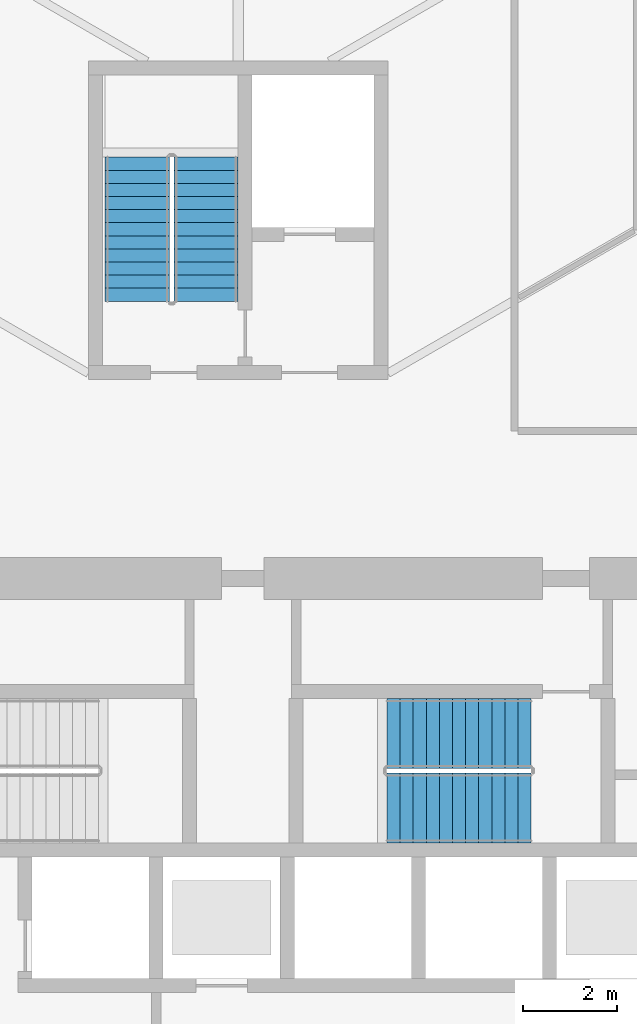
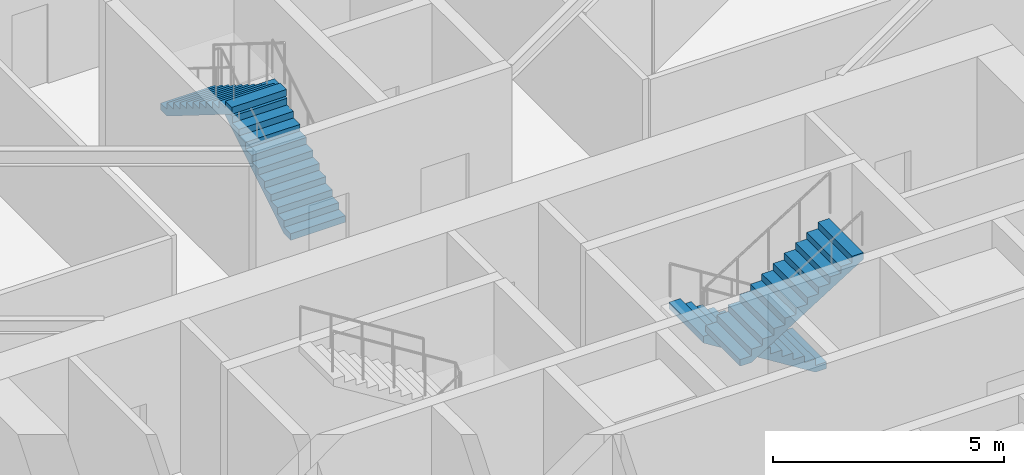
# One storey, part 21 of 26: 4 stair flights, 2 elements without a shape of their own.
"""IFC4 building model written with IfcOpenShell, lengths in metres."""

from ifc_helpers import new_model, si_unit, direction, frame, origin, place, context, subcontext, project, spatial, polyline, outline, extrude, material, type_object, element, aggregate, save


model = new_model("IFC4")

# Units and contexts
model_context = context("Model", 3, precision=1e-05, world=origin(), true_north=direction((0.0, 1.0)))
body_context = subcontext(model_context, "Body", "Model", "MODEL_VIEW")
ifc_project = project(units=[si_unit("LENGTHUNIT", "METRE"), si_unit("AREAUNIT", "SQUARE_METRE"), si_unit("VOLUMEUNIT", "CUBIC_METRE"), si_unit("PLANEANGLEUNIT", "RADIAN"), si_unit("MASSUNIT", "GRAM", prefix="KILO")], contexts=[model_context])

# Site, building, storey
site_placement = place(None, origin())
site = spatial("IfcSite", under=ifc_project, at=site_placement, CompositionType="ELEMENT")
building_placement = place(site_placement, origin())
building = spatial("IfcBuilding", under=site, at=building_placement, Name="Firuza Gate Tower and Library", CompositionType="ELEMENT")
storey_placement = place(building_placement, frame((0.0, 0.0, 40.0)))
storey = spatial("IfcBuildingStorey", under=building, at=storey_placement, Name="L08", CompositionType="ELEMENT", Elevation=40.0)

# Stair, stair flights
ifc_material_1 = material(Name="Concrete C35/45", Category="concrete")
stair_type_1 = type_object("IfcStairType", Name="Exit stair ST14", PredefinedType="HALF_TURN_STAIR", material=ifc_material_1)
placement = place(storey_placement, origin())
stair_1 = element("IfcStair", 1, at=placement, inside=storey, type_object=stair_type_1, Name="L08 Stair ST3", PredefinedType="HALF_TURN_STAIR")
ifc_material_2 = material(Name="Concrete C35/45", Category="concrete")
stair_flight_type_1 = type_object("IfcStairFlightType", Name="Stair flight 12 risers 175 width 1370", PredefinedType="STRAIGHT", material=ifc_material_2)
stair_flight_1_placement = place(storey_placement, frame((74.31494140625, 89.469970703125, 0.0), z_axis=(0.0, 0.0, 1.0), x_axis=(0.0, 1.0, 0.0)))
stair_flight_1 = element("IfcStairFlight", 2, at=stair_flight_1_placement, type_object=stair_flight_type_1, Name="ST3 flight 1", NumberOfRisers=12, NumberOfTreads=11, PredefinedType="STRAIGHT", RiserHeight=0.175, TreadLength=0.28, context=body_context, shape_type="SweptSolid", body=[
    extrude(outline(polyline([(0.0, 0.0), (0.0, 0.175048828125), (0.280029296875, 0.175048828125), (0.280029296875, 0.35009765625), (0.56005859375, 0.35009765625), (0.56005859375, 0.52490234375), (0.840087890625, 0.52490234375), (0.840087890625, 0.699951171875), (1.1201171875, 0.699951171875), (1.1201171875, 0.875), (1.39990234375, 0.875), (1.39990234375, 1.050048828125), (1.679931640625, 1.050048828125), (1.679931640625, 1.22509765625), (1.9599609375, 1.22509765625), (1.9599609375, 1.39990234375), (2.239990234375, 1.39990234375), (2.239990234375, 1.574951171875), (2.52001953125, 1.574951171875), (2.52001953125, 1.75), (2.800048828125, 1.75), (2.800048828125, 1.925048828125), (3.080078125, 1.925048828125), (3.080078125, 2.10009765625), (3.080078125, 1.748291015625), (0.28271484375, 0.0), (0.0, 0.0)])), frame((0.0, 0.68505859375, 0.0), z_axis=(0.0, -1.0, 0.0), x_axis=(1.0, 0.0, 0.0)), (0.0, 0.0, 1.0), 1.3701171875),
])
stair_flight_2_placement = place(storey_placement, frame((72.844970703125, 92.550048828125, 2.10009765625), z_axis=(0.0, 0.0, 1.0), x_axis=(0.0, -1.0, 0.0)))
stair_flight_2 = element("IfcStairFlight", 3, at=stair_flight_2_placement, type_object=stair_flight_type_1, Name="ST3 flight 2", NumberOfRisers=12, NumberOfTreads=11, PredefinedType="STRAIGHT", RiserHeight=0.175, TreadLength=0.28, context=body_context, shape_type="SweptSolid", body=[
    extrude(outline(polyline([(0.0, 0.0), (0.0, 0.175048828125), (0.280029296875, 0.175048828125), (0.280029296875, 0.35009765625), (0.56005859375, 0.35009765625), (0.56005859375, 0.52490234375), (0.840087890625, 0.52490234375), (0.840087890625, 0.699951171875), (1.1201171875, 0.699951171875), (1.1201171875, 0.875), (1.39990234375, 0.875), (1.39990234375, 1.050048828125), (1.679931640625, 1.050048828125), (1.679931640625, 1.22509765625), (1.9599609375, 1.22509765625), (1.9599609375, 1.39990234375), (2.239990234375, 1.39990234375), (2.239990234375, 1.574951171875), (2.52001953125, 1.574951171875), (2.52001953125, 1.75), (2.800048828125, 1.75), (2.800048828125, 1.925048828125), (3.080078125, 1.925048828125), (3.080078125, 2.10009765625), (3.080078125, 1.748291015625), (0.28271484375, 0.0), (0.0, 0.0)])), frame((0.0, 0.68505859375, 0.0), z_axis=(0.0, -1.0, 0.0), x_axis=(1.0, 0.0, 0.0)), (0.0, 0.0, 1.0), 1.3701171875),
])
aggregate(stair_1, [stair_flight_1, stair_flight_2])

ifc_material_3 = material(Name="Concrete C35/45", Category="concrete")
stair_type_2 = type_object("IfcStairType", Name="Exit stair ST5", PredefinedType="HALF_TURN_STAIR", material=ifc_material_3)
stair_2 = element("IfcStair", 4, at=placement, inside=storey, type_object=stair_type_2, Name="L08 Stair ST2", PredefinedType="HALF_TURN_STAIR")
ifc_material_4 = material(Name="Concrete C35/45", Category="concrete")
stair_flight_type_2 = type_object("IfcStairFlightType", Name="Stair flight 12 risers 175 width 1490", PredefinedType="STRAIGHT", material=ifc_material_4)
stair_flight_3_placement = place(storey_placement, frame((81.260009765625, 80.235107421875, 0.0), z_axis=(0.0, 0.0, 1.0), x_axis=(-1.0, 0.0, 0.0)))
stair_flight_3 = element("IfcStairFlight", 5, at=stair_flight_3_placement, type_object=stair_flight_type_2, Name="ST2 flight 1", NumberOfRisers=12, NumberOfTreads=11, PredefinedType="STRAIGHT", RiserHeight=0.175, TreadLength=0.28, context=body_context, shape_type="SweptSolid", body=[
    extrude(outline(polyline([(0.0, 0.0), (0.0, 0.175048828125), (0.280029296875, 0.175048828125), (0.280029296875, 0.35009765625), (0.56005859375, 0.35009765625), (0.56005859375, 0.52490234375), (0.840087890625, 0.52490234375), (0.840087890625, 0.699951171875), (1.1201171875, 0.699951171875), (1.1201171875, 0.875), (1.39990234375, 0.875), (1.39990234375, 1.050048828125), (1.679931640625, 1.050048828125), (1.679931640625, 1.22509765625), (1.9599609375, 1.22509765625), (1.9599609375, 1.39990234375), (2.239990234375, 1.39990234375), (2.239990234375, 1.574951171875), (2.52001953125, 1.574951171875), (2.52001953125, 1.75), (2.800048828125, 1.75), (2.800048828125, 1.925048828125), (3.080078125, 1.925048828125), (3.080078125, 2.10009765625), (3.080078125, 1.748291015625), (0.28271484375, 0.0), (0.0, 0.0)])), frame((0.0, 0.7451171875, 0.0), z_axis=(0.0, -1.0, 0.0), x_axis=(1.0, 0.0, 0.0)), (0.0, 0.0, 1.0), 1.489990234375),
])
stair_flight_4_placement = place(storey_placement, frame((78.179931640625, 78.64501953125, 2.10009765625), z_axis=(0.0, 0.0, 1.0), x_axis=(1.0, 0.0, 0.0)))
stair_flight_4 = element("IfcStairFlight", 6, at=stair_flight_4_placement, type_object=stair_flight_type_2, Name="ST2 flight 2", NumberOfRisers=12, NumberOfTreads=11, PredefinedType="STRAIGHT", RiserHeight=0.175, TreadLength=0.28, context=body_context, shape_type="SweptSolid", body=[
    extrude(outline(polyline([(0.0, 0.0), (0.0, 0.175048828125), (0.280029296875, 0.175048828125), (0.280029296875, 0.35009765625), (0.56005859375, 0.35009765625), (0.56005859375, 0.52490234375), (0.840087890625, 0.52490234375), (0.840087890625, 0.699951171875), (1.1201171875, 0.699951171875), (1.1201171875, 0.875), (1.39990234375, 0.875), (1.39990234375, 1.050048828125), (1.679931640625, 1.050048828125), (1.679931640625, 1.22509765625), (1.9599609375, 1.22509765625), (1.9599609375, 1.39990234375), (2.239990234375, 1.39990234375), (2.239990234375, 1.574951171875), (2.52001953125, 1.574951171875), (2.52001953125, 1.75), (2.800048828125, 1.75), (2.800048828125, 1.925048828125), (3.080078125, 1.925048828125), (3.080078125, 2.10009765625), (3.080078125, 1.748291015625), (0.28271484375, 0.0), (0.0, 0.0)])), frame((0.0, 0.7451171875, 0.0), z_axis=(0.0, -1.0, 0.0), x_axis=(1.0, 0.0, 0.0)), (0.0, 0.0, 1.0), 1.489990234375),
])
aggregate(stair_2, [stair_flight_3, stair_flight_4])

save(model, "model.ifc")
